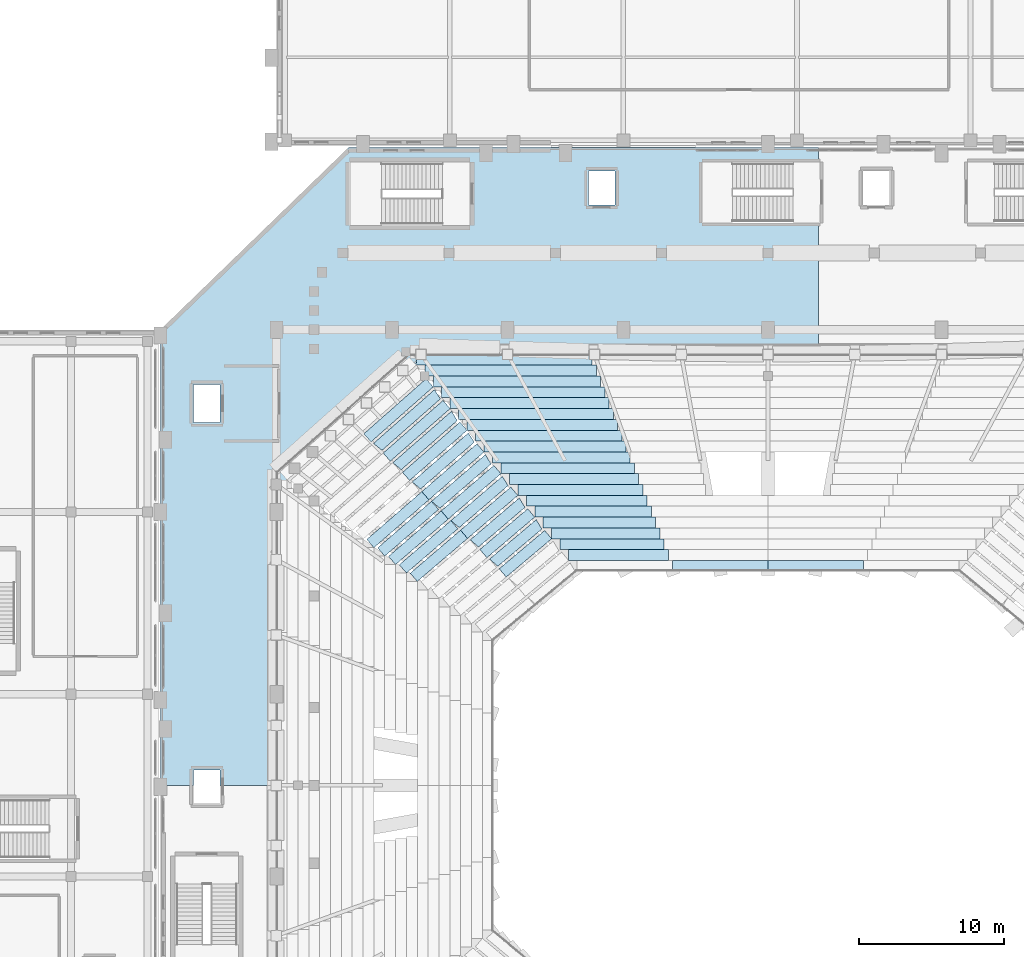
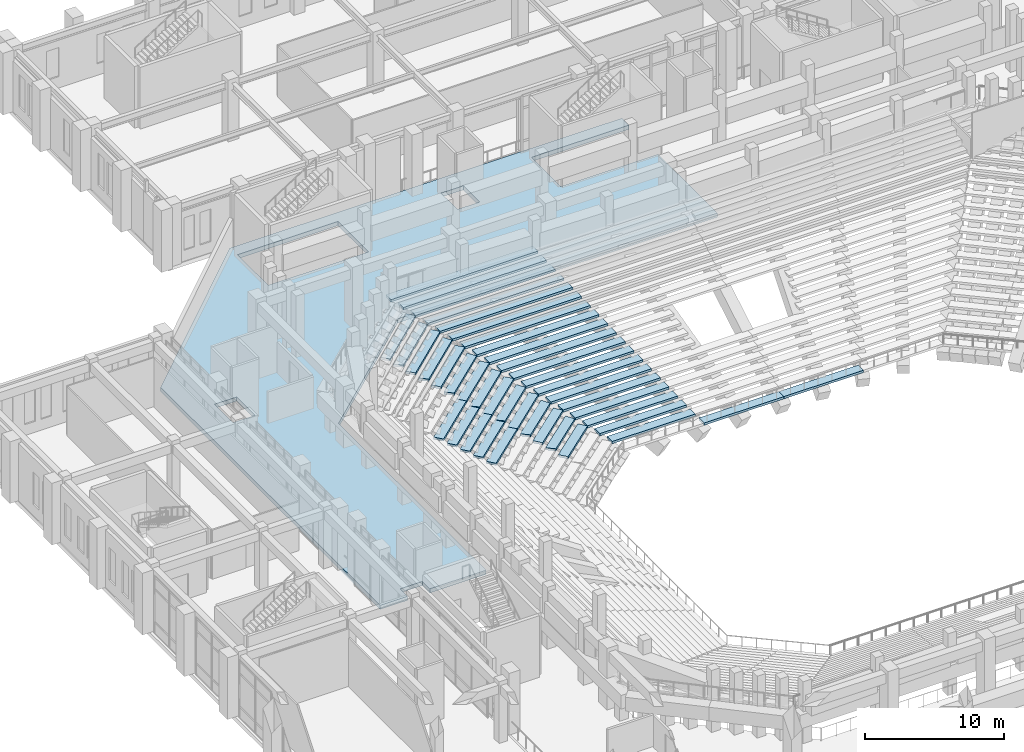
# One storey, part 102 of 159: 42 slabs.
"""IFC4 building model written with IfcOpenShell, lengths in metres."""

from ifc_helpers import new_model, si_unit, derived_unit, direction, frame, origin, place, context, subcontext, project, spatial, polyline, outline, extrude, material, layer, layer_set, type_object, element, save


model = new_model("IFC4")

# Units and contexts
model_context = context("Model", 3, precision=1e-05, world=origin(), true_north=direction((0.0, 1.0)))
body_context = subcontext(model_context, "Body", "Model", "MODEL_VIEW")
ifc_project = project(units=[si_unit("LENGTHUNIT", "METRE"), si_unit("AREAUNIT", "SQUARE_METRE"), si_unit("VOLUMEUNIT", "CUBIC_METRE"), si_unit("PLANEANGLEUNIT", "RADIAN"), si_unit("MASSUNIT", "GRAM", prefix="KILO"), derived_unit("THERMALTRANSMITTANCEUNIT", [(si_unit("MASSUNIT", "GRAM", prefix="KILO"), 1), (si_unit("TIMEUNIT", "SECOND"), -3), (si_unit("THERMODYNAMICTEMPERATUREUNIT", "KELVIN"), -1)])], contexts=[model_context])

# Site, building, storey
site_placement = place(None, origin())
site = spatial("IfcSite", under=ifc_project, at=site_placement, CompositionType="ELEMENT")
building_placement = place(site_placement, origin())
building = spatial("IfcBuilding", under=site, at=building_placement, Name="Valcora Ridge Arena", CompositionType="ELEMENT")
storey_placement = place(building_placement, frame((0.0, 0.0, 6.0)))
storey = spatial("IfcBuildingStorey", under=building, at=storey_placement, Name="L01", CompositionType="ELEMENT", Elevation=6.0)

# Slabs
ifc_material_1 = material(Name="Concrete C40/50", Category="concrete")
ifc_layer_1 = layer(ifc_material_1, 0.360107421875, Name="Concrete C40/50")
ifc_layer_set_1 = layer_set([ifc_layer_1], Name="Concrete C40/50")
slab_type_1 = type_object("IfcSlabType", Name="TY-SLAB-SL-CONC-360-NW", PredefinedType="FLOOR", material=ifc_layer_set_1)
slab_1_placement = place(storey_placement, frame((0.0, 0.0, -0.360107421875)))
element("IfcSlab", 1, at=slab_1_placement, inside=storey, type_object=slab_type_1, Name="SL-CONC-360-NW SLB-0035", PredefinedType="FLOOR", context=body_context, shape_type="SweptSolid", body=[
    extrude(outline(polyline([(16.0, 95.60009765625), (16.0, 64.10009765625), (18.280029296875, 64.10009765625), (18.280029296875, 65.169921875), (20.1201171875, 65.169921875), (20.1201171875, 64.10009765625), (24.800048828125, 64.10009765625), (24.800048828125, 85.300048828125), (35.0, 94.5), (61.5, 94.5), (61.5, 103.0), (53.43994140625, 103.0), (53.43994140625, 107.199951171875), (61.5, 107.199951171875), (61.5, 108.199951171875), (29.0, 108.199951171875), (16.0, 95.60009765625)]), holes=[polyline([(29.080078125, 107.199951171875), (29.080078125, 102.800048828125), (37.39990234375, 102.800048828125), (37.39990234375, 107.199951171875), (29.080078125, 107.199951171875)]), polyline([(20.1201171875, 91.820068359375), (18.280029296875, 91.820068359375), (18.280029296875, 89.179931640625), (20.1201171875, 89.179931640625), (20.1201171875, 91.820068359375)]), polyline([(47.419921875, 106.570068359375), (45.580078125, 106.570068359375), (45.580078125, 104.22998046875), (47.419921875, 104.22998046875), (47.419921875, 106.570068359375)])]), origin(), (0.0, 0.0, 1.0), 0.360107421875),
])
ifc_material_2 = material(Name="Precast concrete C45/55", Category="concrete")
ifc_layer_2 = layer(ifc_material_2, 0.199951171875, Name="Precast concrete C45/55")
ifc_layer_set_2 = layer_set([ifc_layer_2], Name="Precast concrete C45/55")
slab_type_2 = type_object("IfcSlabType", Name="TY-SLAB-ST-LOW-L041", PredefinedType="USERDEFINED", material=ifc_layer_set_2)
slab_2_placement = place(storey_placement, frame((0.0, 0.0, -4.280029296875)))
element("IfcSlab", 2, at=slab_2_placement, inside=storey, type_object=slab_type_2, Name="ST-LOW-L041 SLB-TR-0089", ObjectType="SEATING TIER", PredefinedType="USERDEFINED", context=body_context, shape_type="SweptSolid", body=[
    extrude(outline(polyline([(43.044921875, 81.14990234375), (39.8974609375, 78.50244140625), (39.414794921875, 79.076416015625), (42.562255859375, 81.72412109375), (43.044921875, 81.14990234375)])), origin(), (0.0, 0.0, 1.0), 0.199951171875),
])
ifc_layer_3 = layer(ifc_material_2, 0.199951171875, Name="Precast concrete C45/55")
ifc_layer_set_3 = layer_set([ifc_layer_3], Name="Precast concrete C45/55")
slab_type_3 = type_object("IfcSlabType", Name="TY-SLAB-ST-LOW-L043", PredefinedType="USERDEFINED", material=ifc_layer_set_3)
slab_3_placement = place(storey_placement, frame((0.0, 0.0, -3.39990234375)))
element("IfcSlab", 3, at=slab_3_placement, inside=storey, type_object=slab_type_3, Name="ST-LOW-L043 SLB-TR-0137", ObjectType="SEATING TIER", PredefinedType="USERDEFINED", context=body_context, shape_type="SweptSolid", body=[
    extrude(outline(polyline([(41.875, 82.64990234375), (38.5625, 79.83740234375), (38.0771484375, 80.4091796875), (41.3896484375, 83.2216796875), (41.875, 82.64990234375)])), origin(), (0.0, 0.0, 1.0), 0.199951171875),
])
ifc_layer_4 = layer(ifc_material_2, 0.199951171875, Name="Precast concrete C45/55")
ifc_layer_set_4 = layer_set([ifc_layer_4], Name="Precast concrete C45/55")
slab_type_4 = type_object("IfcSlabType", Name="TY-SLAB-ST-LOW-L046", PredefinedType="USERDEFINED", material=ifc_layer_set_4)
slab_4_placement = place(storey_placement, frame((0.0, 0.0, -2.52001953125)))
element("IfcSlab", 4, at=slab_4_placement, inside=storey, type_object=slab_type_4, Name="ST-LOW-L046 SLB-TR-0185", ObjectType="SEATING TIER", PredefinedType="USERDEFINED", context=body_context, shape_type="SweptSolid", body=[
    extrude(outline(polyline([(40.705078125, 84.14990234375), (37.2275390625, 81.172607421875), (36.73974609375, 81.7421875), (40.21728515625, 84.7197265625), (40.705078125, 84.14990234375)])), origin(), (0.0, 0.0, 1.0), 0.199951171875),
])
slab_5_placement = place(storey_placement, frame((0.0, 0.0, -2.52001953125)))
element("IfcSlab", 5, at=slab_5_placement, inside=storey, type_object=slab_type_4, Name="ST-LOW-L046 SLB-TR-0186", ObjectType="SEATING TIER", PredefinedType="USERDEFINED", context=body_context, shape_type="SweptSolid", body=[
    extrude(outline(polyline([(37.2275390625, 81.172607421875), (33.75, 78.195068359375), (33.26220703125, 78.7646484375), (36.73974609375, 81.7421875), (37.2275390625, 81.172607421875)])), origin(), (0.0, 0.0, 1.0), 0.199951171875),
])
ifc_layer_5 = layer(ifc_material_2, 0.199951171875, Name="Precast concrete C45/55")
ifc_layer_set_5 = layer_set([ifc_layer_5], Name="Precast concrete C45/55")
slab_type_5 = type_object("IfcSlabType", Name="TY-SLAB-ST-LOW-L047", PredefinedType="USERDEFINED", material=ifc_layer_set_5)
slab_6_placement = place(storey_placement, frame((0.0, 0.0, -2.080078125)))
element("IfcSlab", 6, at=slab_6_placement, inside=storey, type_object=slab_type_5, Name="ST-LOW-L047 SLB-TR-0210", ObjectType="SEATING TIER", PredefinedType="USERDEFINED", context=body_context, shape_type="SweptSolid", body=[
    extrude(outline(polyline([(36.56005859375, 81.840087890625), (33.0, 78.780029296875), (32.510986328125, 79.348876953125), (36.071044921875, 82.40869140625), (36.56005859375, 81.840087890625)])), origin(), (0.0, 0.0, 1.0), 0.2001953125),
])
ifc_layer_6 = layer(ifc_material_2, 0.199951171875, Name="Precast concrete C45/55")
ifc_layer_set_6 = layer_set([ifc_layer_6], Name="Precast concrete C45/55")
slab_type_6 = type_object("IfcSlabType", Name="TY-SLAB-ST-LOW-L048", PredefinedType="USERDEFINED", material=ifc_layer_set_6)
slab_7_placement = place(storey_placement, frame((0.0, 0.0, -1.639892578125)))
element("IfcSlab", 7, at=slab_7_placement, inside=storey, type_object=slab_type_6, Name="ST-LOW-L048 SLB-TR-0233", ObjectType="SEATING TIER", PredefinedType="USERDEFINED", context=body_context, shape_type="SweptSolid", body=[
    extrude(outline(polyline([(39.534912109375, 85.64990234375), (35.892578125, 82.507568359375), (35.402587890625, 83.075439453125), (39.045166015625, 86.218017578125), (39.534912109375, 85.64990234375)])), origin(), (0.0, 0.0, 1.0), 0.199951171875),
])
slab_8_placement = place(storey_placement, frame((0.0, 0.0, -1.639892578125)))
element("IfcSlab", 8, at=slab_8_placement, inside=storey, type_object=slab_type_6, Name="ST-LOW-L048 SLB-TR-0234", ObjectType="SEATING TIER", PredefinedType="USERDEFINED", context=body_context, shape_type="SweptSolid", body=[
    extrude(outline(polyline([(35.892578125, 82.507568359375), (32.25, 79.364990234375), (31.760009765625, 79.932861328125), (35.402587890625, 83.075439453125), (35.892578125, 82.507568359375)])), origin(), (0.0, 0.0, 1.0), 0.199951171875),
])
ifc_layer_7 = layer(ifc_material_2, 0.199951171875, Name="Precast concrete C45/55")
ifc_layer_set_7 = layer_set([ifc_layer_7], Name="Precast concrete C45/55")
slab_type_7 = type_object("IfcSlabType", Name="TY-SLAB-ST-LOW-L049", PredefinedType="USERDEFINED", material=ifc_layer_set_7)
slab_9_placement = place(storey_placement, frame((0.0, 0.0, -1.199951171875)))
element("IfcSlab", 9, at=slab_9_placement, inside=storey, type_object=slab_type_7, Name="ST-LOW-L049 SLB-TR-0258", ObjectType="SEATING TIER", PredefinedType="USERDEFINED", context=body_context, shape_type="SweptSolid", body=[
    extrude(outline(polyline([(35.22509765625, 83.175048828125), (31.5, 79.949951171875), (31.009033203125, 80.51708984375), (34.734130859375, 83.741943359375), (35.22509765625, 83.175048828125)])), origin(), (0.0, 0.0, 1.0), 0.199951171875),
])
ifc_layer_8 = layer(ifc_material_2, 0.199951171875, Name="Precast concrete C45/55")
ifc_layer_set_8 = layer_set([ifc_layer_8], Name="Precast concrete C45/55")
slab_type_8 = type_object("IfcSlabType", Name="TY-SLAB-ST-LOW-L050", PredefinedType="USERDEFINED", material=ifc_layer_set_8)
slab_10_placement = place(storey_placement, frame((0.0, 0.0, -0.760009765625)))
element("IfcSlab", 10, at=slab_10_placement, inside=storey, type_object=slab_type_8, Name="ST-LOW-L050 SLB-TR-0281", ObjectType="SEATING TIER", PredefinedType="USERDEFINED", context=body_context, shape_type="SweptSolid", body=[
    extrude(outline(polyline([(38.364990234375, 87.14990234375), (34.5576171875, 83.842529296875), (34.065673828125, 84.40869140625), (37.873291015625, 87.71630859375), (38.364990234375, 87.14990234375)])), origin(), (0.0, 0.0, 1.0), 0.199951171875),
])
slab_11_placement = place(storey_placement, frame((0.0, 0.0, -0.760009765625)))
element("IfcSlab", 11, at=slab_11_placement, inside=storey, type_object=slab_type_8, Name="ST-LOW-L050 SLB-TR-0282", ObjectType="SEATING TIER", PredefinedType="USERDEFINED", context=body_context, shape_type="SweptSolid", body=[
    extrude(outline(polyline([(34.5576171875, 83.842529296875), (30.75, 80.534912109375), (30.25830078125, 81.101318359375), (34.065673828125, 84.40869140625), (34.5576171875, 83.842529296875)])), origin(), (0.0, 0.0, 1.0), 0.199951171875),
])
ifc_layer_9 = layer(ifc_material_2, 0.199951171875, Name="Precast concrete C45/55")
ifc_layer_set_9 = layer_set([ifc_layer_9], Name="Precast concrete C45/55")
slab_type_9 = type_object("IfcSlabType", Name="TY-SLAB-ST-LOW-L053", PredefinedType="USERDEFINED", material=ifc_layer_set_9)
slab_12_placement = place(storey_placement, frame((0.0, 0.0, 0.1201171875)))
element("IfcSlab", 12, at=slab_12_placement, inside=storey, type_object=slab_type_9, Name="ST-LOW-L053 SLB-TR-0329", ObjectType="SEATING TIER", PredefinedType="USERDEFINED", context=body_context, shape_type="SweptSolid", body=[
    extrude(outline(polyline([(37.195068359375, 88.64990234375), (33.222412109375, 85.177490234375), (32.72900390625, 85.7421875), (36.701416015625, 89.214599609375), (37.195068359375, 88.64990234375)])), origin(), (0.0, 0.0, 1.0), 0.199951171875),
])
ifc_layer_10 = layer(ifc_material_2, 0.199951171875, Name="Precast concrete C45/55")
ifc_layer_set_10 = layer_set([ifc_layer_10], Name="Precast concrete C45/55")
slab_type_10 = type_object("IfcSlabType", Name="TY-SLAB-ST-LOW-L055", PredefinedType="USERDEFINED", material=ifc_layer_set_10)
slab_13_placement = place(storey_placement, frame((0.0, 0.0, 1.0)))
element("IfcSlab", 13, at=slab_13_placement, inside=storey, type_object=slab_type_10, Name="ST-LOW-L055 SLB-TR-0377", ObjectType="SEATING TIER", PredefinedType="USERDEFINED", context=body_context, shape_type="SweptSolid", body=[
    extrude(outline(polyline([(36.02490234375, 90.14990234375), (31.887451171875, 86.512451171875), (31.392333984375, 87.07568359375), (35.52978515625, 90.71337890625), (36.02490234375, 90.14990234375)])), origin(), (0.0, 0.0, 1.0), 0.199951171875),
])
ifc_layer_11 = layer(ifc_material_2, 0.199951171875, Name="Precast concrete C45/55")
ifc_layer_set_11 = layer_set([ifc_layer_11], Name="Precast concrete C45/55")
slab_type_11 = type_object("IfcSlabType", Name="TY-SLAB-ST-LOW-L057", PredefinedType="USERDEFINED", material=ifc_layer_set_11)
slab_14_placement = place(storey_placement, frame((0.0, 0.0, 1.8798828125)))
element("IfcSlab", 14, at=slab_14_placement, inside=storey, type_object=slab_type_11, Name="ST-LOW-L057 SLB-TR-0425", ObjectType="SEATING TIER", PredefinedType="USERDEFINED", context=body_context, shape_type="SweptSolid", body=[
    extrude(outline(polyline([(34.85498046875, 91.64990234375), (30.552490234375, 87.847412109375), (30.055908203125, 88.409423828125), (34.3583984375, 92.2119140625), (34.85498046875, 91.64990234375)])), origin(), (0.0, 0.0, 1.0), 0.2001953125),
])
ifc_layer_12 = layer(ifc_material_2, 0.199951171875, Name="Precast concrete C45/55")
ifc_layer_set_12 = layer_set([ifc_layer_12], Name="Precast concrete C45/55")
slab_type_12 = type_object("IfcSlabType", Name="TY-SLAB-ST-LOW-L066", PredefinedType="USERDEFINED", material=ifc_layer_set_12)
slab_15_placement = place(storey_placement, frame((0.0, 0.0, -5.60009765625)))
element("IfcSlab", 15, at=slab_15_placement, inside=storey, type_object=slab_type_12, Name="ST-LOW-L066 SLB-TR-0014", ObjectType="SEATING TIER", PredefinedType="USERDEFINED", context=body_context, shape_type="SweptSolid", body=[
    extrude(outline(polyline([(64.60009765625, 78.89990234375), (58.0, 78.89990234375), (58.0, 79.64990234375), (64.60009765625, 79.64990234375), (64.60009765625, 78.89990234375)])), origin(), (0.0, 0.0, 1.0), 0.2001953125),
])
slab_16_placement = place(storey_placement, frame((0.0, 0.0, -5.60009765625)))
element("IfcSlab", 16, at=slab_16_placement, inside=storey, type_object=slab_type_12, Name="ST-LOW-L066 SLB-TR-0015", ObjectType="SEATING TIER", PredefinedType="USERDEFINED", context=body_context, shape_type="SweptSolid", body=[
    extrude(outline(polyline([(58.0, 78.89990234375), (51.39990234375, 78.89990234375), (51.39990234375, 79.64990234375), (58.0, 79.64990234375), (58.0, 78.89990234375)])), origin(), (0.0, 0.0, 1.0), 0.2001953125),
])
ifc_layer_13 = layer(ifc_material_2, 0.199951171875, Name="Precast concrete C45/55")
ifc_layer_set_13 = layer_set([ifc_layer_13], Name="Precast concrete C45/55")
slab_type_13 = type_object("IfcSlabType", Name="TY-SLAB-ST-LOW-L069", PredefinedType="USERDEFINED", material=ifc_layer_set_13)
slab_17_placement = place(storey_placement, frame((0.0, 0.0, -5.159912109375)))
element("IfcSlab", 17, at=slab_17_placement, inside=storey, type_object=slab_type_13, Name="ST-LOW-L069 SLB-TR-0040", ObjectType="SEATING TIER", PredefinedType="USERDEFINED", context=body_context, shape_type="SweptSolid", body=[
    extrude(outline(polyline([(51.107421875, 79.64990234375), (44.215087890625, 79.64990234375), (44.215087890625, 80.39990234375), (51.107421875, 80.39990234375), (51.107421875, 79.64990234375)])), origin(), (0.0, 0.0, 1.0), 0.199951171875),
])
ifc_layer_14 = layer(ifc_material_2, 0.199951171875, Name="Precast concrete C45/55")
ifc_layer_set_14 = layer_set([ifc_layer_14], Name="Precast concrete C45/55")
slab_type_14 = type_object("IfcSlabType", Name="TY-SLAB-ST-LOW-L072", PredefinedType="USERDEFINED", material=ifc_layer_set_14)
slab_18_placement = place(storey_placement, frame((0.0, 0.0, -4.719970703125)))
element("IfcSlab", 18, at=slab_18_placement, inside=storey, type_object=slab_type_14, Name="ST-LOW-L072 SLB-TR-0064", ObjectType="SEATING TIER", PredefinedType="USERDEFINED", context=body_context, shape_type="SweptSolid", body=[
    extrude(outline(polyline([(50.81494140625, 80.39990234375), (43.6298828125, 80.39990234375), (43.6298828125, 81.14990234375), (50.81494140625, 81.14990234375), (50.81494140625, 80.39990234375)])), origin(), (0.0, 0.0, 1.0), 0.199951171875),
])
ifc_layer_15 = layer(ifc_material_2, 0.199951171875, Name="Precast concrete C45/55")
ifc_layer_set_15 = layer_set([ifc_layer_15], Name="Precast concrete C45/55")
slab_type_15 = type_object("IfcSlabType", Name="TY-SLAB-ST-LOW-L075", PredefinedType="USERDEFINED", material=ifc_layer_set_15)
slab_19_placement = place(storey_placement, frame((0.0, 0.0, -4.280029296875)))
element("IfcSlab", 19, at=slab_19_placement, inside=storey, type_object=slab_type_15, Name="ST-LOW-L075 SLB-TR-0088", ObjectType="SEATING TIER", PredefinedType="USERDEFINED", context=body_context, shape_type="SweptSolid", body=[
    extrude(outline(polyline([(50.5224609375, 81.14990234375), (43.044921875, 81.14990234375), (43.044921875, 81.89990234375), (50.5224609375, 81.89990234375), (50.5224609375, 81.14990234375)])), origin(), (0.0, 0.0, 1.0), 0.199951171875),
])
ifc_layer_16 = layer(ifc_material_2, 0.199951171875, Name="Precast concrete C45/55")
ifc_layer_set_16 = layer_set([ifc_layer_16], Name="Precast concrete C45/55")
slab_type_16 = type_object("IfcSlabType", Name="TY-SLAB-ST-LOW-L078", PredefinedType="USERDEFINED", material=ifc_layer_set_16)
slab_20_placement = place(storey_placement, frame((0.0, 0.0, -3.840087890625)))
element("IfcSlab", 20, at=slab_20_placement, inside=storey, type_object=slab_type_16, Name="ST-LOW-L078 SLB-TR-0112", ObjectType="SEATING TIER", PredefinedType="USERDEFINED", context=body_context, shape_type="SweptSolid", body=[
    extrude(outline(polyline([(50.22998046875, 81.89990234375), (42.4599609375, 81.89990234375), (42.4599609375, 82.64990234375), (50.22998046875, 82.64990234375), (50.22998046875, 81.89990234375)])), origin(), (0.0, 0.0, 1.0), 0.2001953125),
])
ifc_layer_17 = layer(ifc_material_2, 0.199951171875, Name="Precast concrete C45/55")
ifc_layer_set_17 = layer_set([ifc_layer_17], Name="Precast concrete C45/55")
slab_type_17 = type_object("IfcSlabType", Name="TY-SLAB-ST-LOW-L081", PredefinedType="USERDEFINED", material=ifc_layer_set_17)
slab_21_placement = place(storey_placement, frame((0.0, 0.0, -3.39990234375)))
element("IfcSlab", 21, at=slab_21_placement, inside=storey, type_object=slab_type_17, Name="ST-LOW-L081 SLB-TR-0136", ObjectType="SEATING TIER", PredefinedType="USERDEFINED", context=body_context, shape_type="SweptSolid", body=[
    extrude(outline(polyline([(49.9375, 82.64990234375), (41.875, 82.64990234375), (41.875, 83.39990234375), (49.9375, 83.39990234375), (49.9375, 82.64990234375)])), origin(), (0.0, 0.0, 1.0), 0.199951171875),
])
ifc_layer_18 = layer(ifc_material_2, 0.199951171875, Name="Precast concrete C45/55")
ifc_layer_set_18 = layer_set([ifc_layer_18], Name="Precast concrete C45/55")
slab_type_18 = type_object("IfcSlabType", Name="TY-SLAB-ST-LOW-L084", PredefinedType="USERDEFINED", material=ifc_layer_set_18)
slab_22_placement = place(storey_placement, frame((0.0, 0.0, -2.9599609375)))
element("IfcSlab", 22, at=slab_22_placement, inside=storey, type_object=slab_type_18, Name="ST-LOW-L084 SLB-TR-0160", ObjectType="SEATING TIER", PredefinedType="USERDEFINED", context=body_context, shape_type="SweptSolid", body=[
    extrude(outline(polyline([(49.64501953125, 83.39990234375), (41.2900390625, 83.39990234375), (41.2900390625, 84.14990234375), (49.64501953125, 84.14990234375), (49.64501953125, 83.39990234375)])), origin(), (0.0, 0.0, 1.0), 0.199951171875),
])
ifc_layer_19 = layer(ifc_material_2, 0.199951171875, Name="Precast concrete C45/55")
ifc_layer_set_19 = layer_set([ifc_layer_19], Name="Precast concrete C45/55")
slab_type_19 = type_object("IfcSlabType", Name="TY-SLAB-ST-LOW-L086", PredefinedType="USERDEFINED", material=ifc_layer_set_19)
slab_23_placement = place(storey_placement, frame((0.0, 0.0, -2.52001953125)))
element("IfcSlab", 23, at=slab_23_placement, inside=storey, type_object=slab_type_19, Name="ST-LOW-L086 SLB-TR-0184", ObjectType="SEATING TIER", PredefinedType="USERDEFINED", context=body_context, shape_type="SweptSolid", body=[
    extrude(outline(polyline([(49.3525390625, 84.14990234375), (40.705078125, 84.14990234375), (40.705078125, 84.89990234375), (49.3525390625, 84.89990234375), (49.3525390625, 84.14990234375)])), origin(), (0.0, 0.0, 1.0), 0.199951171875),
])
ifc_layer_20 = layer(ifc_material_2, 0.199951171875, Name="Precast concrete C45/55")
ifc_layer_set_20 = layer_set([ifc_layer_20], Name="Precast concrete C45/55")
slab_type_20 = type_object("IfcSlabType", Name="TY-SLAB-ST-LOW-L089", PredefinedType="USERDEFINED", material=ifc_layer_set_20)
slab_24_placement = place(storey_placement, frame((0.0, 0.0, -2.080078125)))
element("IfcSlab", 24, at=slab_24_placement, inside=storey, type_object=slab_type_20, Name="ST-LOW-L089 SLB-TR-0208", ObjectType="SEATING TIER", PredefinedType="USERDEFINED", context=body_context, shape_type="SweptSolid", body=[
    extrude(outline(polyline([(49.06005859375, 84.89990234375), (40.1201171875, 84.89990234375), (40.1201171875, 85.64990234375), (49.06005859375, 85.64990234375), (49.06005859375, 84.89990234375)])), origin(), (0.0, 0.0, 1.0), 0.2001953125),
])
ifc_layer_21 = layer(ifc_material_2, 0.199951171875, Name="Precast concrete C45/55")
ifc_layer_set_21 = layer_set([ifc_layer_21], Name="Precast concrete C45/55")
slab_type_21 = type_object("IfcSlabType", Name="TY-SLAB-ST-LOW-L092", PredefinedType="USERDEFINED", material=ifc_layer_set_21)
slab_25_placement = place(storey_placement, frame((0.0, 0.0, -1.639892578125)))
element("IfcSlab", 25, at=slab_25_placement, inside=storey, type_object=slab_type_21, Name="ST-LOW-L092 SLB-TR-0232", ObjectType="SEATING TIER", PredefinedType="USERDEFINED", context=body_context, shape_type="SweptSolid", body=[
    extrude(outline(polyline([(48.767578125, 85.64990234375), (39.534912109375, 85.64990234375), (39.534912109375, 86.39990234375), (48.767578125, 86.39990234375), (48.767578125, 85.64990234375)])), origin(), (0.0, 0.0, 1.0), 0.199951171875),
])
ifc_layer_22 = layer(ifc_material_2, 0.199951171875, Name="Precast concrete C45/55")
ifc_layer_set_22 = layer_set([ifc_layer_22], Name="Precast concrete C45/55")
slab_type_22 = type_object("IfcSlabType", Name="TY-SLAB-ST-LOW-L095", PredefinedType="USERDEFINED", material=ifc_layer_set_22)
slab_26_placement = place(storey_placement, frame((0.0, 0.0, -1.199951171875)))
element("IfcSlab", 26, at=slab_26_placement, inside=storey, type_object=slab_type_22, Name="ST-LOW-L095 SLB-TR-0256", ObjectType="SEATING TIER", PredefinedType="USERDEFINED", context=body_context, shape_type="SweptSolid", body=[
    extrude(outline(polyline([(48.47509765625, 86.39990234375), (38.949951171875, 86.39990234375), (38.949951171875, 87.14990234375), (48.47509765625, 87.14990234375), (48.47509765625, 86.39990234375)])), origin(), (0.0, 0.0, 1.0), 0.199951171875),
])
ifc_layer_23 = layer(ifc_material_2, 0.199951171875, Name="Precast concrete C45/55")
ifc_layer_set_23 = layer_set([ifc_layer_23], Name="Precast concrete C45/55")
slab_type_23 = type_object("IfcSlabType", Name="TY-SLAB-ST-LOW-L098", PredefinedType="USERDEFINED", material=ifc_layer_set_23)
slab_27_placement = place(storey_placement, frame((0.0, 0.0, -0.760009765625)))
element("IfcSlab", 27, at=slab_27_placement, inside=storey, type_object=slab_type_23, Name="ST-LOW-L098 SLB-TR-0280", ObjectType="SEATING TIER", PredefinedType="USERDEFINED", context=body_context, shape_type="SweptSolid", body=[
    extrude(outline(polyline([(48.1826171875, 87.14990234375), (38.364990234375, 87.14990234375), (38.364990234375, 87.89990234375), (48.1826171875, 87.89990234375), (48.1826171875, 87.14990234375)])), origin(), (0.0, 0.0, 1.0), 0.199951171875),
])
ifc_layer_24 = layer(ifc_material_2, 0.199951171875, Name="Precast concrete C45/55")
ifc_layer_set_24 = layer_set([ifc_layer_24], Name="Precast concrete C45/55")
slab_type_24 = type_object("IfcSlabType", Name="TY-SLAB-ST-LOW-L101", PredefinedType="USERDEFINED", material=ifc_layer_set_24)
slab_28_placement = place(storey_placement, frame((0.0, 0.0, -0.320068359375)))
element("IfcSlab", 28, at=slab_28_placement, inside=storey, type_object=slab_type_24, Name="ST-LOW-L101 SLB-TR-0304", ObjectType="SEATING TIER", PredefinedType="USERDEFINED", context=body_context, shape_type="SweptSolid", body=[
    extrude(outline(polyline([(47.889892578125, 87.89990234375), (37.780029296875, 87.89990234375), (37.780029296875, 88.64990234375), (47.889892578125, 88.64990234375), (47.889892578125, 87.89990234375)])), origin(), (0.0, 0.0, 1.0), 0.199951171875),
])
ifc_layer_25 = layer(ifc_material_2, 0.199951171875, Name="Precast concrete C45/55")
ifc_layer_set_25 = layer_set([ifc_layer_25], Name="Precast concrete C45/55")
slab_type_25 = type_object("IfcSlabType", Name="TY-SLAB-ST-LOW-L104", PredefinedType="USERDEFINED", material=ifc_layer_set_25)
slab_29_placement = place(storey_placement, frame((0.0, 0.0, 0.1201171875)))
element("IfcSlab", 29, at=slab_29_placement, inside=storey, type_object=slab_type_25, Name="ST-LOW-L104 SLB-TR-0328", ObjectType="SEATING TIER", PredefinedType="USERDEFINED", context=body_context, shape_type="SweptSolid", body=[
    extrude(outline(polyline([(47.597412109375, 88.64990234375), (37.195068359375, 88.64990234375), (37.195068359375, 89.39990234375), (47.597412109375, 89.39990234375), (47.597412109375, 88.64990234375)])), origin(), (0.0, 0.0, 1.0), 0.199951171875),
])
ifc_layer_26 = layer(ifc_material_2, 0.199951171875, Name="Precast concrete C45/55")
ifc_layer_set_26 = layer_set([ifc_layer_26], Name="Precast concrete C45/55")
slab_type_26 = type_object("IfcSlabType", Name="TY-SLAB-ST-LOW-L107", PredefinedType="USERDEFINED", material=ifc_layer_set_26)
slab_30_placement = place(storey_placement, frame((0.0, 0.0, 0.56005859375)))
element("IfcSlab", 30, at=slab_30_placement, inside=storey, type_object=slab_type_26, Name="ST-LOW-L107 SLB-TR-0352", ObjectType="SEATING TIER", PredefinedType="USERDEFINED", context=body_context, shape_type="SweptSolid", body=[
    extrude(outline(polyline([(47.304931640625, 89.39990234375), (36.610107421875, 89.39990234375), (36.610107421875, 90.14990234375), (47.304931640625, 90.14990234375), (47.304931640625, 89.39990234375)])), origin(), (0.0, 0.0, 1.0), 0.199951171875),
])
ifc_layer_27 = layer(ifc_material_2, 0.199951171875, Name="Precast concrete C45/55")
ifc_layer_set_27 = layer_set([ifc_layer_27], Name="Precast concrete C45/55")
slab_type_27 = type_object("IfcSlabType", Name="TY-SLAB-ST-LOW-L110", PredefinedType="USERDEFINED", material=ifc_layer_set_27)
slab_31_placement = place(storey_placement, frame((0.0, 0.0, 1.0)))
element("IfcSlab", 31, at=slab_31_placement, inside=storey, type_object=slab_type_27, Name="ST-LOW-L110 SLB-TR-0376", ObjectType="SEATING TIER", PredefinedType="USERDEFINED", context=body_context, shape_type="SweptSolid", body=[
    extrude(outline(polyline([(47.012451171875, 90.14990234375), (36.02490234375, 90.14990234375), (36.02490234375, 90.89990234375), (47.012451171875, 90.89990234375), (47.012451171875, 90.14990234375)])), origin(), (0.0, 0.0, 1.0), 0.199951171875),
])
ifc_layer_28 = layer(ifc_material_2, 0.199951171875, Name="Precast concrete C45/55")
ifc_layer_set_28 = layer_set([ifc_layer_28], Name="Precast concrete C45/55")
slab_type_28 = type_object("IfcSlabType", Name="TY-SLAB-ST-LOW-L113", PredefinedType="USERDEFINED", material=ifc_layer_set_28)
slab_32_placement = place(storey_placement, frame((0.0, 0.0, 1.43994140625)))
element("IfcSlab", 32, at=slab_32_placement, inside=storey, type_object=slab_type_28, Name="ST-LOW-L113 SLB-TR-0400", ObjectType="SEATING TIER", PredefinedType="USERDEFINED", context=body_context, shape_type="SweptSolid", body=[
    extrude(outline(polyline([(46.719970703125, 90.89990234375), (35.43994140625, 90.89990234375), (35.43994140625, 91.64990234375), (46.719970703125, 91.64990234375), (46.719970703125, 90.89990234375)])), origin(), (0.0, 0.0, 1.0), 0.199951171875),
])
ifc_layer_29 = layer(ifc_material_2, 0.199951171875, Name="Precast concrete C45/55")
ifc_layer_set_29 = layer_set([ifc_layer_29], Name="Precast concrete C45/55")
slab_type_29 = type_object("IfcSlabType", Name="TY-SLAB-ST-LOW-L116", PredefinedType="USERDEFINED", material=ifc_layer_set_29)
slab_33_placement = place(storey_placement, frame((0.0, 0.0, 1.8798828125)))
element("IfcSlab", 33, at=slab_33_placement, inside=storey, type_object=slab_type_29, Name="ST-LOW-L116 SLB-TR-0424", ObjectType="SEATING TIER", PredefinedType="USERDEFINED", context=body_context, shape_type="SweptSolid", body=[
    extrude(outline(polyline([(46.427490234375, 91.64990234375), (34.85498046875, 91.64990234375), (34.85498046875, 92.39990234375), (46.427490234375, 92.39990234375), (46.427490234375, 91.64990234375)])), origin(), (0.0, 0.0, 1.0), 0.2001953125),
])
ifc_layer_30 = layer(ifc_material_2, 0.199951171875, Name="Precast concrete C45/55")
ifc_layer_set_30 = layer_set([ifc_layer_30], Name="Precast concrete C45/55")
slab_type_30 = type_object("IfcSlabType", Name="TY-SLAB-ST-LOW-L119", PredefinedType="USERDEFINED", material=ifc_layer_set_30)
slab_34_placement = place(storey_placement, frame((0.0, 0.0, 2.320068359375)))
element("IfcSlab", 34, at=slab_34_placement, inside=storey, type_object=slab_type_30, Name="ST-LOW-L119 SLB-TR-0448", ObjectType="SEATING TIER", PredefinedType="USERDEFINED", context=body_context, shape_type="SweptSolid", body=[
    extrude(outline(polyline([(46.135009765625, 92.39990234375), (34.27001953125, 92.39990234375), (34.27001953125, 93.14990234375), (46.135009765625, 93.14990234375), (46.135009765625, 92.39990234375)])), origin(), (0.0, 0.0, 1.0), 0.199951171875),
])
ifc_layer_31 = layer(ifc_material_2, 0.199951171875, Name="Precast concrete C45/55")
ifc_layer_set_31 = layer_set([ifc_layer_31], Name="Precast concrete C45/55")
slab_type_31 = type_object("IfcSlabType", Name="TY-SLAB-ST-LOW-L122", PredefinedType="USERDEFINED", material=ifc_layer_set_31)
slab_35_placement = place(storey_placement, frame((0.0, 0.0, 2.760009765625)))
element("IfcSlab", 35, at=slab_35_placement, inside=storey, type_object=slab_type_31, Name="ST-LOW-L122 SLB-TR-0472", ObjectType="SEATING TIER", PredefinedType="USERDEFINED", context=body_context, shape_type="SweptSolid", body=[
    extrude(outline(polyline([(45.842529296875, 93.14990234375), (33.68505859375, 93.14990234375), (33.68505859375, 93.89990234375), (45.842529296875, 93.89990234375), (45.842529296875, 93.14990234375)])), origin(), (0.0, 0.0, 1.0), 0.199951171875),
])
ifc_layer_32 = layer(ifc_material_2, 0.199951171875, Name="Precast concrete C45/55")
ifc_layer_set_32 = layer_set([ifc_layer_32], Name="Precast concrete C45/55")
slab_type_32 = type_object("IfcSlabType", Name="TY-SLAB-ST-LOW-M042", PredefinedType="USERDEFINED", material=ifc_layer_set_32)
slab_36_placement = place(storey_placement, frame((0.0, 0.0, -3.840087890625)))
element("IfcSlab", 36, at=slab_36_placement, inside=storey, type_object=slab_type_32, Name="ST-LOW-M042 SLB-TR-0113", ObjectType="SEATING TIER", PredefinedType="USERDEFINED", context=body_context, shape_type="SweptSolid", body=[
    extrude(outline(polyline([(42.368408203125, 81.822509765625), (39.321533203125, 79.24755859375), (38.745849609375, 79.742919921875), (41.975830078125, 82.472900390625), (42.368408203125, 81.822509765625)])), origin(), (0.0, 0.0, 1.0), 0.2001953125),
])
ifc_layer_33 = layer(ifc_material_2, 0.199951171875, Name="Precast concrete C45/55")
ifc_layer_set_33 = layer_set([ifc_layer_33], Name="Precast concrete C45/55")
slab_type_33 = type_object("IfcSlabType", Name="TY-SLAB-ST-LOW-M045", PredefinedType="USERDEFINED", material=ifc_layer_set_33)
slab_37_placement = place(storey_placement, frame((0.0, 0.0, -2.9599609375)))
element("IfcSlab", 37, at=slab_37_placement, inside=storey, type_object=slab_type_33, Name="ST-LOW-M045 SLB-TR-0161", ObjectType="SEATING TIER", PredefinedType="USERDEFINED", context=body_context, shape_type="SweptSolid", body=[
    extrude(outline(polyline([(41.19873046875, 83.322021484375), (37.986328125, 80.5830078125), (37.408447265625, 81.07568359375), (40.803466796875, 83.970703125), (41.19873046875, 83.322021484375)])), origin(), (0.0, 0.0, 1.0), 0.199951171875),
])
ifc_layer_34 = layer(ifc_material_2, 0.199951171875, Name="Precast concrete C45/55")
ifc_layer_set_34 = layer_set([ifc_layer_34], Name="Precast concrete C45/55")
slab_type_34 = type_object("IfcSlabType", Name="TY-SLAB-ST-LOW-M047", PredefinedType="USERDEFINED", material=ifc_layer_set_34)
slab_38_placement = place(storey_placement, frame((0.0, 0.0, -2.080078125)))
element("IfcSlab", 38, at=slab_38_placement, inside=storey, type_object=slab_type_34, Name="ST-LOW-M047 SLB-TR-0209", ObjectType="SEATING TIER", PredefinedType="USERDEFINED", context=body_context, shape_type="SweptSolid", body=[
    extrude(outline(polyline([(40.029052734375, 84.82177734375), (36.65087890625, 81.918212890625), (36.071044921875, 82.40869140625), (39.631103515625, 85.46875), (40.029052734375, 84.82177734375)])), origin(), (0.0, 0.0, 1.0), 0.2001953125),
])
ifc_layer_35 = layer(ifc_material_2, 0.199951171875, Name="Precast concrete C45/55")
ifc_layer_set_35 = layer_set([ifc_layer_35], Name="Precast concrete C45/55")
slab_type_35 = type_object("IfcSlabType", Name="TY-SLAB-ST-LOW-M049", PredefinedType="USERDEFINED", material=ifc_layer_set_35)
slab_39_placement = place(storey_placement, frame((0.0, 0.0, -1.199951171875)))
element("IfcSlab", 39, at=slab_39_placement, inside=storey, type_object=slab_type_35, Name="ST-LOW-M049 SLB-TR-0257", ObjectType="SEATING TIER", PredefinedType="USERDEFINED", context=body_context, shape_type="SweptSolid", body=[
    extrude(outline(polyline([(38.859375, 86.321533203125), (35.315673828125, 83.25341796875), (34.734130859375, 83.741943359375), (38.458984375, 86.967041015625), (38.859375, 86.321533203125)])), origin(), (0.0, 0.0, 1.0), 0.199951171875),
])
ifc_layer_36 = layer(ifc_material_2, 0.199951171875, Name="Precast concrete C45/55")
ifc_layer_set_36 = layer_set([ifc_layer_36], Name="Precast concrete C45/55")
slab_type_36 = type_object("IfcSlabType", Name="TY-SLAB-ST-LOW-M052", PredefinedType="USERDEFINED", material=ifc_layer_set_36)
slab_40_placement = place(storey_placement, frame((0.0, 0.0, -0.320068359375)))
element("IfcSlab", 40, at=slab_40_placement, inside=storey, type_object=slab_type_36, Name="ST-LOW-M052 SLB-TR-0305", ObjectType="SEATING TIER", PredefinedType="USERDEFINED", context=body_context, shape_type="SweptSolid", body=[
    extrude(outline(polyline([(37.689453125, 87.8212890625), (33.98046875, 84.5888671875), (33.397216796875, 85.075439453125), (37.287353515625, 88.46533203125), (37.689453125, 87.8212890625)])), origin(), (0.0, 0.0, 1.0), 0.199951171875),
])
ifc_layer_37 = layer(ifc_material_2, 0.199951171875, Name="Precast concrete C45/55")
ifc_layer_set_37 = layer_set([ifc_layer_37], Name="Precast concrete C45/55")
slab_type_37 = type_object("IfcSlabType", Name="TY-SLAB-ST-LOW-M054", PredefinedType="USERDEFINED", material=ifc_layer_set_37)
slab_41_placement = place(storey_placement, frame((0.0, 0.0, 0.56005859375)))
element("IfcSlab", 41, at=slab_41_placement, inside=storey, type_object=slab_type_37, Name="ST-LOW-M054 SLB-TR-0353", ObjectType="SEATING TIER", PredefinedType="USERDEFINED", context=body_context, shape_type="SweptSolid", body=[
    extrude(outline(polyline([(36.519775390625, 89.32080078125), (32.645263671875, 85.924072265625), (32.060546875, 86.408935546875), (36.115478515625, 89.964111328125), (36.519775390625, 89.32080078125)])), origin(), (0.0, 0.0, 1.0), 0.199951171875),
])
ifc_layer_38 = layer(ifc_material_2, 0.199951171875, Name="Precast concrete C45/55")
ifc_layer_set_38 = layer_set([ifc_layer_38], Name="Precast concrete C45/55")
slab_type_38 = type_object("IfcSlabType", Name="TY-SLAB-ST-LOW-M056", PredefinedType="USERDEFINED", material=ifc_layer_set_38)
slab_42_placement = place(storey_placement, frame((0.0, 0.0, 1.43994140625)))
element("IfcSlab", 42, at=slab_42_placement, inside=storey, type_object=slab_type_38, Name="ST-LOW-M056 SLB-TR-0401", ObjectType="SEATING TIER", PredefinedType="USERDEFINED", context=body_context, shape_type="SweptSolid", body=[
    extrude(outline(polyline([(35.35009765625, 90.820556640625), (31.31005859375, 87.259521484375), (30.72412109375, 87.74267578125), (34.944091796875, 91.462646484375), (35.35009765625, 90.820556640625)])), origin(), (0.0, 0.0, 1.0), 0.199951171875),
])

save(model, "model.ifc")
